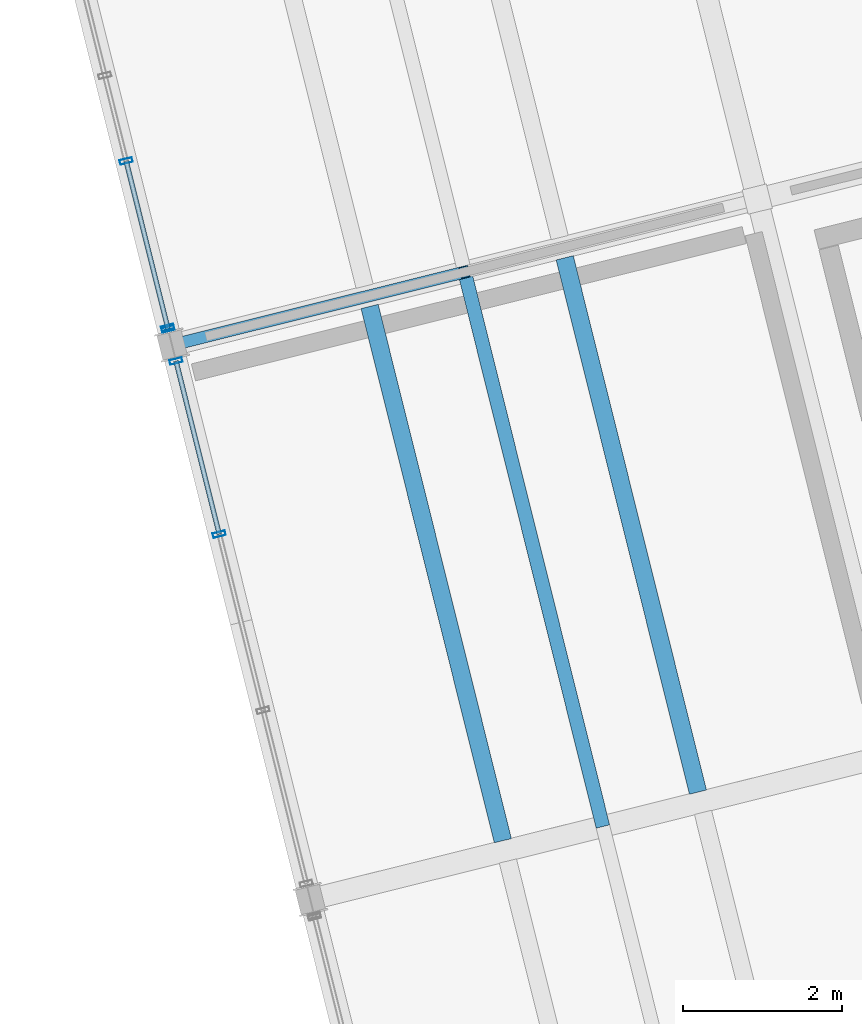
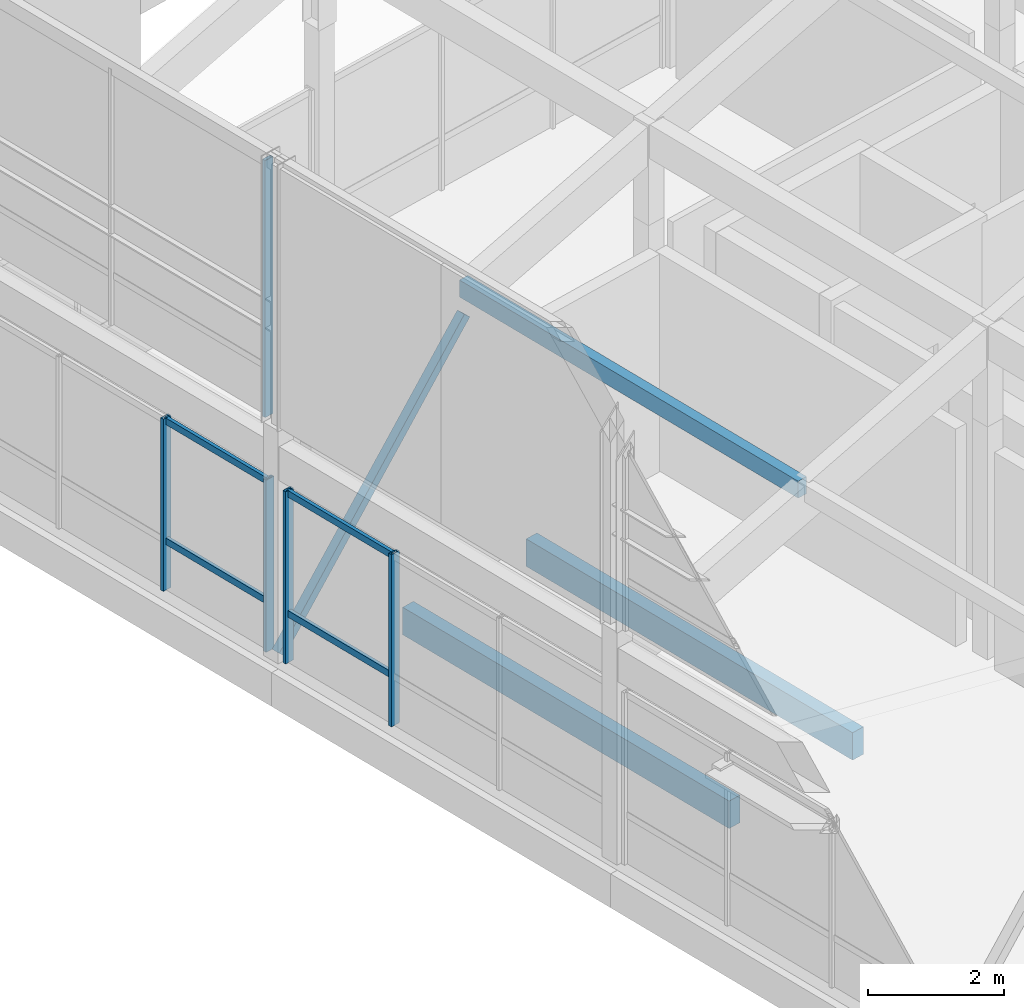
# One storey, part 12 of 31: 11 members, 2 beams, 3 elements without a shape of their own.
"""IFC4 building model written with IfcOpenShell, lengths in metres."""

from ifc_helpers import new_model, si_unit, direction, frame, origin, origin_2d, place, context, subcontext, project, spatial, rectangle, hollow_rectangle, extrude, material, layer, layer_set, material_profile, profile_set, type_object, element, aggregate, save


model = new_model("IFC4")

# Units and contexts
model_context = context("Model", 3, precision=1e-05, world=origin(), true_north=direction((0.0, 1.0)))
body_context = subcontext(model_context, "Body", "Model", "MODEL_VIEW")
ifc_project = project(units=[si_unit("LENGTHUNIT", "METRE"), si_unit("AREAUNIT", "SQUARE_METRE"), si_unit("VOLUMEUNIT", "CUBIC_METRE"), si_unit("PLANEANGLEUNIT", "RADIAN"), si_unit("MASSUNIT", "GRAM", prefix="KILO")], contexts=[model_context])

# Site, building, storey
site_placement = place(None, origin())
site = spatial("IfcSite", under=ifc_project, at=site_placement, CompositionType="ELEMENT")
building_placement = place(site_placement, origin())
building = spatial("IfcBuilding", under=site, at=building_placement, Name="Meriwether Solvik Hall", CompositionType="ELEMENT")
storey_placement = place(building_placement, frame((0.0, 0.0, 61.199951171875)))
storey = spatial("IfcBuildingStorey", under=building, at=storey_placement, Name="L15", CompositionType="ELEMENT", Elevation=61.199951171875)

# Curtain wall, members
ifc_material_1 = material(Name="Thermally Broken Anodised Aluminium 6063-T6 and Low-E Glass", Category="aluminium")
ifc_layer_1 = layer(ifc_material_1, 0.179931640625)
ifc_layer_set_1 = layer_set([ifc_layer_1], Name="Thermally Broken Anodised Aluminium 6063-T6 and Low-E Glass")
curtain_wall_type_1 = type_object("IfcCurtainWallType", Name="CW-UNIT-D", PredefinedType="USERDEFINED", material=ifc_layer_set_1)
curtain_wall_1_placement = place(storey_placement, origin())
curtain_wall_1 = element("IfcCurtainWall", 1, at=curtain_wall_1_placement, inside=storey, type_object=curtain_wall_type_1, Name="Curtain Wall E3_B2 (L15)", ObjectType="UNITISED CURTAIN WALL", PredefinedType="USERDEFINED")
ifc_material_2 = material(Name="Anodised Aluminium 6063-T6", Category="aluminium")
ifc_material_profile_1 = material_profile(ifc_material_2, hollow_rectangle(XDim=0.06005859375, YDim=0.159912109375, WallThickness=0.00390625, at=origin_2d()), Name="CWM-60X160")
ifc_profile_set_1 = profile_set([ifc_material_profile_1], Name="Anodised Aluminium 6063-T6")
member_type_1 = type_object("IfcMemberType", Name="CW-MUL-60X160", PredefinedType="MULLION", material=ifc_profile_set_1)
member_1_placement = place(storey_placement, frame((64.114013671875, 59.192626953125, 0.0), z_axis=(0.0, 0.0, 1.0), x_axis=(-0.241921877598, 0.970295730764, 0.0)))
member_1 = element("IfcMember", 2, at=member_1_placement, type_object=member_type_1, Name="Curtain Wall Mullion 3", PredefinedType="MULLION", context=body_context, shape_type="SweptSolid", body=[
    extrude(hollow_rectangle(XDim=0.06005859375, YDim=0.159912109375, WallThickness=0.00390625, at=origin_2d()), origin(), (0.0, 0.0, 1.0), 3.10205078125),
])
member_2_placement = place(storey_placement, frame((63.56982421875, 61.374755859375, 0.0), z_axis=(0.0, 0.0, 1.0), x_axis=(-0.241921877598, 0.970295730764, 0.0)))
member_2 = element("IfcMember", 3, at=member_2_placement, type_object=member_type_1, Name="Curtain Wall Mullion 4", PredefinedType="MULLION", context=body_context, shape_type="SweptSolid", body=[
    extrude(hollow_rectangle(XDim=0.06005859375, YDim=0.159912109375, WallThickness=0.00390625, at=origin_2d()), origin(), (0.0, 0.0, 1.0), 3.10205078125),
])

ifc_material_3 = material(Name="Thermally Broken Anodised Aluminium 6063-T6 and Low-E Glass", Category="aluminium")
ifc_layer_2 = layer(ifc_material_3, 0.179931640625)
ifc_layer_set_2 = layer_set([ifc_layer_2], Name="Thermally Broken Anodised Aluminium 6063-T6 and Low-E Glass")
curtain_wall_type_2 = type_object("IfcCurtainWallType", Name="CW-UNIT-E", PredefinedType="USERDEFINED", material=ifc_layer_set_2)
curtain_wall_2_placement = place(storey_placement, origin())
curtain_wall_2 = element("IfcCurtainWall", 4, at=curtain_wall_2_placement, inside=storey, type_object=curtain_wall_type_2, Name="Curtain Wall E3_B3 (L15)", ObjectType="UNITISED CURTAIN WALL", PredefinedType="USERDEFINED")
member_3_placement = place(storey_placement, frame((63.469482421875, 61.777587890625, 0.0), z_axis=(0.0, 0.0, 1.0), x_axis=(-0.241921784185, 0.970295754055, 0.0)))
member_3 = element("IfcMember", 5, at=member_3_placement, type_object=member_type_1, Name="Curtain Wall Mullion 1", PredefinedType="MULLION", context=body_context, shape_type="SweptSolid", body=[
    extrude(hollow_rectangle(XDim=0.06005859375, YDim=0.159912109375, WallThickness=0.00390625, at=origin_2d()), origin(), (0.0, 0.0, 1.0), 3.10205078125),
])
member_4_placement = place(storey_placement, frame((62.94140625, 63.89501953125, 0.0), z_axis=(0.0, 0.0, 1.0), x_axis=(-0.241921784185, 0.970295754055, 0.0)))
member_4 = element("IfcMember", 6, at=member_4_placement, type_object=member_type_1, Name="Curtain Wall Mullion 2", PredefinedType="MULLION", context=body_context, shape_type="SweptSolid", body=[
    extrude(hollow_rectangle(XDim=0.06005859375, YDim=0.159912109375, WallThickness=0.00390625, at=origin_2d()), origin(), (0.0, 0.0, 1.0), 3.10205078125),
])

# Curtain wall, member
ifc_material_4 = material(Name="Thermally Broken Anodised Aluminium 6063-T6 and Low-E Glass", Category="aluminium")
ifc_layer_3 = layer(ifc_material_4, 0.179931640625)
ifc_layer_set_3 = layer_set([ifc_layer_3], Name="Thermally Broken Anodised Aluminium 6063-T6 and Low-E Glass")
curtain_wall_type_3 = type_object("IfcCurtainWallType", Name="CW-CROWN-GL", PredefinedType="USERDEFINED", material=ifc_layer_set_3)
curtain_wall_3_placement = place(storey_placement, origin())
curtain_wall_3 = element("IfcCurtainWall", 7, at=curtain_wall_3_placement, inside=storey, type_object=curtain_wall_type_3, Name="Curtain Wall crown_W_1 (L15)", ObjectType="UNITISED CURTAIN WALL", PredefinedType="USERDEFINED")
member_5_placement = place(storey_placement, frame((63.464599609375, 61.79736328125, 4.219970703125), z_axis=(0.0, 0.0, 1.0), x_axis=(0.241921749537, -0.970295762694, 0.0)))
member_5 = element("IfcMember", 8, at=member_5_placement, type_object=member_type_1, Name="Curtain Wall Mullion 3", PredefinedType="MULLION", context=body_context, shape_type="SweptSolid", body=[
    extrude(hollow_rectangle(XDim=0.06005859375, YDim=0.159912109375, WallThickness=0.00390625, at=origin_2d()), origin(), (0.0, 0.0, 1.0), 4.630126953125),
])
aggregate(curtain_wall_3, [member_5])

# Member
ifc_material_5 = material(Name="Anodised Aluminium 6063-T6", Category="aluminium")
ifc_material_profile_2 = material_profile(ifc_material_5, hollow_rectangle(XDim=0.06005859375, YDim=0.1201171875, WallThickness=0.00390625, at=origin_2d()), Name="CWT-60X120")
ifc_profile_set_2 = profile_set([ifc_material_profile_2], Name="Anodised Aluminium 6063-T6")
member_type_2 = type_object("IfcMemberType", Name="CW-TRN-60X120", PredefinedType="USERDEFINED", material=ifc_profile_set_2)
member_6_placement = place(storey_placement, frame((64.114013671875, 59.192626953125, 0.880126953125), z_axis=(-0.241973642025, 0.970282822978, 0.0), x_axis=(-0.970282822978, -0.241973642025, 0.0)))
member_6 = element("IfcMember", 9, at=member_6_placement, type_object=member_type_2, Name="Curtain Wall Transom 3-sill", ObjectType="TRANSOM", PredefinedType="USERDEFINED", context=body_context, shape_type="SweptSolid", body=[
    extrude(hollow_rectangle(XDim=0.06005859375, YDim=0.1201171875, WallThickness=0.00390625, at=origin_2d()), origin(), (0.0, 0.0, 1.0), 2.2490234375),
])

member_7_placement = place(storey_placement, frame((64.114013671875, 59.192626953125, 3.0419921875), z_axis=(-0.241973642025, 0.970282822978, 0.0), x_axis=(-0.970282822978, -0.241973642025, 0.0)))
member_7 = element("IfcMember", 10, at=member_7_placement, type_object=member_type_2, Name="Curtain Wall Transom 3-head", ObjectType="TRANSOM", PredefinedType="USERDEFINED", context=body_context, shape_type="SweptSolid", body=[
    extrude(hollow_rectangle(XDim=0.06005859375, YDim=0.1201171875, WallThickness=0.00390625, at=origin_2d()), origin(), (0.0, 0.0, 1.0), 2.2490234375),
])

aggregate(curtain_wall_1, [member_1, member_2, member_6, member_7])

member_8_placement = place(storey_placement, frame((63.469482421875, 61.777587890625, 0.880126953125), z_axis=(-0.241982798004, 0.970280539571, 0.0), x_axis=(-0.970280539571, -0.241982798004, 0.0)))
member_8 = element("IfcMember", 11, at=member_8_placement, type_object=member_type_2, Name="Curtain Wall Transom 1-sill", ObjectType="TRANSOM", PredefinedType="USERDEFINED", context=body_context, shape_type="SweptSolid", body=[
    extrude(hollow_rectangle(XDim=0.06005859375, YDim=0.1201171875, WallThickness=0.00390625, at=origin_2d()), origin(), (0.0, 0.0, 1.0), 2.182373046875),
])

member_9_placement = place(storey_placement, frame((63.469482421875, 61.777587890625, 3.0419921875), z_axis=(-0.241982798004, 0.970280539571, 0.0), x_axis=(-0.970280539571, -0.241982798004, 0.0)))
member_9 = element("IfcMember", 12, at=member_9_placement, type_object=member_type_2, Name="Curtain Wall Transom 1-head", ObjectType="TRANSOM", PredefinedType="USERDEFINED", context=body_context, shape_type="SweptSolid", body=[
    extrude(hollow_rectangle(XDim=0.06005859375, YDim=0.1201171875, WallThickness=0.00390625, at=origin_2d()), origin(), (0.0, 0.0, 1.0), 2.182373046875),
])

aggregate(curtain_wall_2, [member_3, member_4, member_8, member_9])

# Beams
ifc_material_6 = material(Name="Glulam Douglas-Fir 24F-V8 GL28h", Category="wood")
ifc_material_profile_3 = material_profile(ifc_material_6, rectangle(XDim=0.221923828125, YDim=0.4951171875, at=origin_2d()), Name="GLJ-222X495")
ifc_profile_set_3 = profile_set([ifc_material_profile_3], Name="Glulam Douglas-Fir 24F-V8 GL28h")
beam_type = type_object("IfcBeamType", Name="JST-GL-222X495", PredefinedType="JOIST", material=ifc_profile_set_3)
for number, where, z_axis, x_axis, name in (
    (13, (67.687744140625, 55.33056640625, -0.492431640625), (-0.241922788949, 0.970295503539, 0.0), (-0.970295503539, -0.241922788949, 0.0), "Glulam Floor Joist T1/TC-J1 (L15)"),
    (14, (70.145751953125, 55.943359375, -0.492431640625), (-0.241922788949, 0.970295503539, 0.0), (-0.970295503539, -0.241922788949, 0.0), "Glulam Floor Joist T1/TC-J2 (L15)"),
):
    element("IfcBeam", number, at=place(storey_placement, frame(where, z_axis=z_axis, x_axis=x_axis)), inside=storey, type_object=beam_type, Name=name, PredefinedType="JOIST", context=body_context, shape_type="SweptSolid", body=[
        extrude(rectangle(XDim=0.221923828125, YDim=0.4951171875, at=origin_2d()), origin(), (0.0, 0.0, 1.0), 6.93701171875),
    ])

# Members
ifc_material_7 = material(Name="Steel A500 Grade C", Category="steel")
ifc_material_profile_4 = material_profile(ifc_material_7, hollow_rectangle(XDim=0.152099609375, YDim=0.152099609375, WallThickness=0.009521484375, at=origin_2d()), Name="HSS152X152X9.5")
ifc_profile_set_4 = profile_set([ifc_material_profile_4], Name="Steel A500 Grade C")
member_type_3 = type_object("IfcMemberType", Name="MEM-BR-HSS152", PredefinedType="BRACE", material=ifc_profile_set_4)
member_10_placement = place(storey_placement, frame((63.51953125, 61.576171875, 0.050048828125), z_axis=(0.645760422905, 0.161023224039, 0.746367870108), x_axis=(-0.241946039438, 0.970289706222, 0.0)))
element("IfcMember", 15, at=member_10_placement, inside=storey, type_object=member_type_3, Name="Tower Chevron Brace L15-B2A", PredefinedType="BRACE", context=body_context, shape_type="SweptSolid", body=[
    extrude(hollow_rectangle(XDim=0.152099609375, YDim=0.152099609375, WallThickness=0.009521484375, at=origin_2d()), origin(), (0.0, 0.0, 1.0), 5.7099609375),
])
ifc_material_8 = material(Name="Glulam Douglas-Fir 24F-V8 GL28h", Category="wood")
ifc_material_profile_5 = material_profile(ifc_material_8, rectangle(XDim=0.175048828125, YDim=0.304931640625, at=origin_2d()), Name="GLM-175X305")
ifc_profile_set_5 = profile_set([ifc_material_profile_5], Name="Glulam Douglas-Fir 24F-V8 GL28h")
member_type_4 = type_object("IfcMemberType", Name="MEM-PRL-GL175", PredefinedType="PURLIN", material=ifc_profile_set_5)
member_11_placement = place(storey_placement, frame((68.948486328125, 55.50927734375, 4.80419921875), z_axis=(-0.241897310542, 0.970301855688, 0.0), x_axis=(-0.970301855688, -0.241897310542, 0.0)))
element("IfcMember", 16, at=member_11_placement, inside=storey, type_object=member_type_4, Name="Tower Roof Glulam Purlin 1.3", PredefinedType="PURLIN", context=body_context, shape_type="SweptSolid", body=[
    extrude(rectangle(XDim=0.175048828125, YDim=0.304931640625, at=origin_2d()), origin(), (0.0, 0.0, 1.0), 7.2001953125),
])

save(model, "model.ifc")
